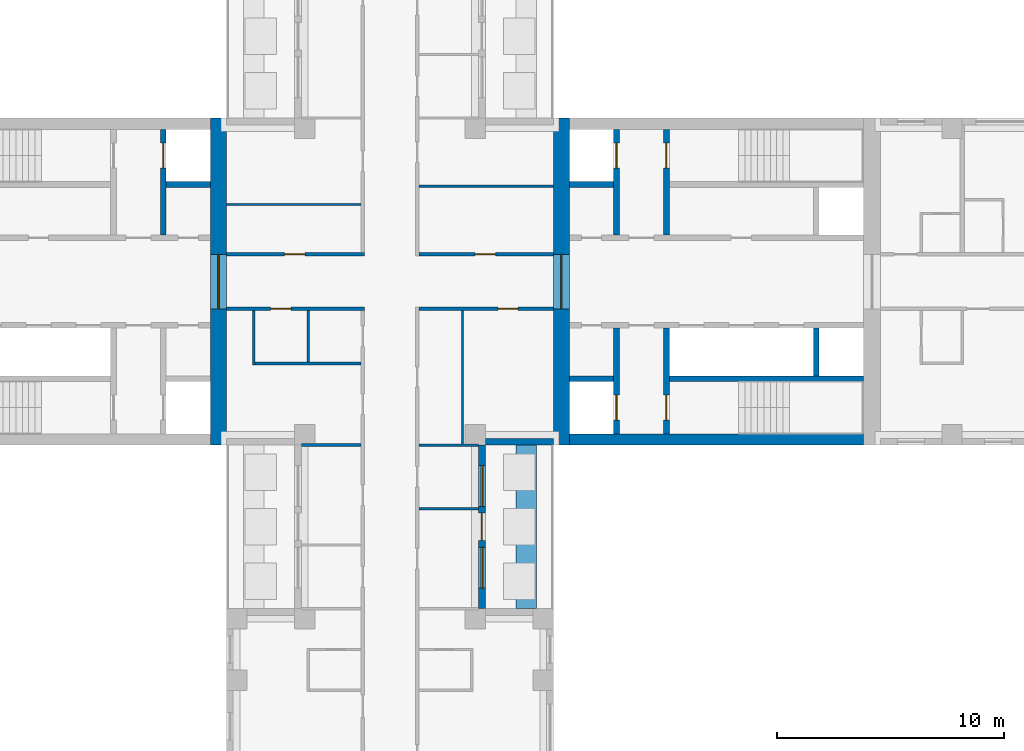
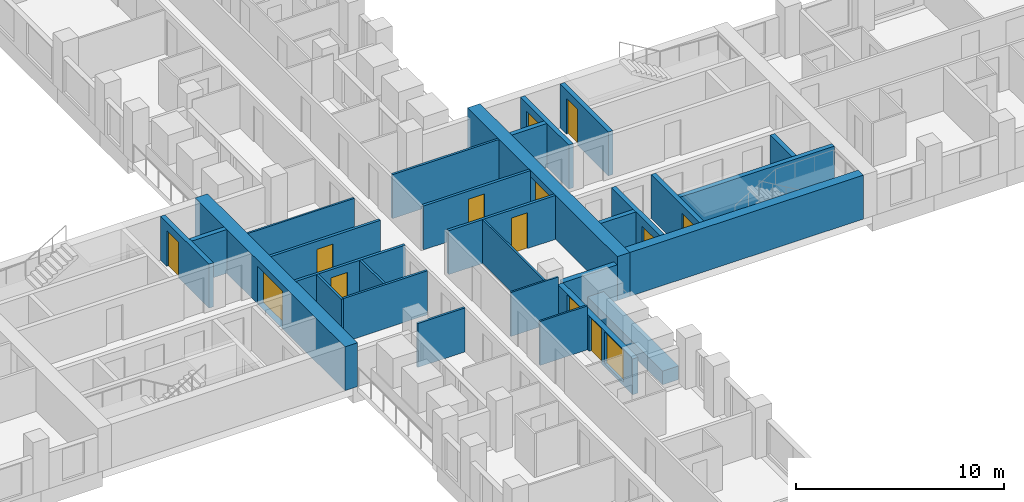
# One storey, part 7 of 15: 29 walls, 12 doors, 2 windows, 14 openings.
"""IFC4 building model written with IfcOpenShell, lengths in metres."""

from ifc_helpers import new_model, si_unit, direction, frame, frame_2d, origin, place, context, subcontext, project, spatial, rectangle, extrude, material, layer, layer_set, type_object, element, fill, save


model = new_model("IFC4")

# Units and contexts
model_context = context("Model", 3, precision=1e-05, world=origin(), true_north=direction((0.0, 1.0)))
body_context = subcontext(model_context, "Body", "Model", "MODEL_VIEW")
ifc_project = project(units=[si_unit("LENGTHUNIT", "METRE"), si_unit("AREAUNIT", "SQUARE_METRE"), si_unit("VOLUMEUNIT", "CUBIC_METRE"), si_unit("PLANEANGLEUNIT", "RADIAN"), si_unit("MASSUNIT", "GRAM", prefix="KILO")], contexts=[model_context])

# Site, building, storey
site_placement = place(None, origin())
site = spatial("IfcSite", under=ifc_project, at=site_placement, CompositionType="ELEMENT")
building_placement = place(site_placement, origin())
building = spatial("IfcBuilding", under=site, at=building_placement, Name="Fustian Cross Tower", CompositionType="ELEMENT")
storey_placement = place(building_placement, frame((0.0, 0.0, 35.699951171875)))
storey = spatial("IfcBuildingStorey", under=building, at=storey_placement, Name="L10", CompositionType="ELEMENT", Elevation=35.699951171875)

# Wall, opening, door
ifc_material_1 = material(Name="Plasterboard on steel stud", Category="steel")
ifc_layer_1 = layer(ifc_material_1, 0.14990234375)
ifc_layer_set_1 = layer_set([ifc_layer_1], Name="Plasterboard on steel stud")
wall_type_1 = type_object("IfcWallType", Name="COMPARTMENT WALL 150 EI 60", PredefinedType="PARTITIONING", material=ifc_layer_set_1)
wall_1_placement = place(storey_placement, frame((-7.199951171875, -1.199951171875, 0.0), z_axis=(0.0, 0.0, 1.0), x_axis=(1.0, 0.0, 0.0)))
wall_1 = element("IfcWall", 1, at=wall_1_placement, inside=storey, type_object=wall_type_1, Name="Partition 11", PredefinedType="PARTITIONING", context=body_context, shape_type="SweptSolid", body=[
    extrude(rectangle(XDim=6.074951171875, YDim=0.14990234375, at=frame_2d((3.03759765625, 0.0))), origin(), (0.0, 0.0, 1.0), 2.574951171875),
])
opening_1_placement = place(wall_1_placement, frame((1.949951171875, 0.0, 0.0)))
opening_1 = element("IfcOpeningElement", 2, at=opening_1_placement, cuts=wall_1, Name="Opening D07008", PredefinedType="OPENING", context=body_context, shape_type="SweptSolid", body=[
    extrude(rectangle(XDim=0.89990234375, YDim=2.10009765625, at=frame_2d((0.449951171875, 1.050048828125))), frame((0.0, 0.0849609375, 0.0), z_axis=(0.0, -1.0, 0.0), x_axis=(1.0, 0.0, 0.0)), (0.0, 0.0, 1.0), 0.169921875),
])
ifc_material_2 = material(Name="Timber fire door set", Category="wood")
door_type_1 = type_object("IfcDoorType", Name="FIRE SWING DOOR 900 FD30S", OperationType="SINGLE_SWING_LEFT", PredefinedType="DOOR", material=ifc_material_2)
door_1_placement = place(opening_1_placement, frame((0.89990234375, 0.0, 0.0), z_axis=(0.0, 0.0, 1.0), x_axis=(-1.0, 0.0, 0.0)))
door_1 = element("IfcDoor", 3, at=door_1_placement, inside=storey, type_object=door_type_1, Name="Door D07008", OperationType="SINGLE_SWING_RIGHT", OverallHeight=2.10009765625, OverallWidth=0.89990234375, PredefinedType="DOOR", context=body_context, shape_type="SweptSolid", body=[
    extrude(rectangle(XDim=0.89990234375, YDim=2.10009765625, at=frame_2d((0.449951171875, 1.050048828125))), frame((0.0, 0.02490234375, 0.0), z_axis=(0.0, -1.0, 0.0), x_axis=(1.0, 0.0, 0.0)), (0.0, 0.0, 1.0), 0.050048828125),
])
fill(opening_1, door_1)

wall_2_placement = place(storey_placement, frame((-7.199951171875, 1.199951171875, 0.0), z_axis=(0.0, 0.0, 1.0), x_axis=(1.0, 0.0, 0.0)))
wall_2 = element("IfcWall", 4, at=wall_2_placement, inside=storey, type_object=wall_type_1, Name="Partition 12", PredefinedType="PARTITIONING", context=body_context, shape_type="SweptSolid", body=[
    extrude(rectangle(XDim=6.074951171875, YDim=0.14990234375, at=frame_2d((3.03759765625, 0.0))), origin(), (0.0, 0.0, 1.0), 2.574951171875),
])
opening_2_placement = place(wall_2_placement, frame((2.550048828125, 0.0, 0.0)))
opening_2 = element("IfcOpeningElement", 5, at=opening_2_placement, cuts=wall_2, Name="Opening D07003", PredefinedType="OPENING", context=body_context, shape_type="SweptSolid", body=[
    extrude(rectangle(XDim=0.89990234375, YDim=2.10009765625, at=frame_2d((0.449951171875, 1.050048828125))), frame((0.0, 0.0849609375, 0.0), z_axis=(0.0, -1.0, 0.0), x_axis=(1.0, 0.0, 0.0)), (0.0, 0.0, 1.0), 0.169921875),
])
door_2_placement = place(opening_2_placement, origin())
door_2 = element("IfcDoor", 6, at=door_2_placement, inside=storey, type_object=door_type_1, Name="Door D07003", OperationType="SINGLE_SWING_LEFT", OverallHeight=2.10009765625, OverallWidth=0.89990234375, PredefinedType="DOOR", context=body_context, shape_type="SweptSolid", body=[
    extrude(rectangle(XDim=0.89990234375, YDim=2.10009765625, at=frame_2d((0.449951171875, 1.050048828125))), frame((0.0, 0.02490234375, 0.0), z_axis=(0.0, -1.0, 0.0), x_axis=(1.0, 0.0, 0.0)), (0.0, 0.0, 1.0), 0.050048828125),
])
fill(opening_2, door_2)

wall_3_placement = place(storey_placement, frame((1.27490234375, -1.199951171875, 0.0), z_axis=(0.0, 0.0, 1.0), x_axis=(1.0, 0.0, 0.0)))
wall_3 = element("IfcWall", 7, at=wall_3_placement, inside=storey, type_object=wall_type_1, Name="Partition 51", PredefinedType="PARTITIONING", context=body_context, shape_type="SweptSolid", body=[
    extrude(rectangle(XDim=5.925048828125, YDim=0.14990234375, at=frame_2d((2.96240234375, 0.0))), origin(), (0.0, 0.0, 1.0), 2.574951171875),
])
opening_3_placement = place(wall_3_placement, frame((3.47509765625, 0.0, 0.0)))
opening_3 = element("IfcOpeningElement", 8, at=opening_3_placement, cuts=wall_3, Name="Opening D07006", PredefinedType="OPENING", context=body_context, shape_type="SweptSolid", body=[
    extrude(rectangle(XDim=0.89990234375, YDim=2.10009765625, at=frame_2d((0.449951171875, 1.050048828125))), frame((0.0, 0.0849609375, 0.0), z_axis=(0.0, -1.0, 0.0), x_axis=(1.0, 0.0, 0.0)), (0.0, 0.0, 1.0), 0.169921875),
])
door_3_placement = place(opening_3_placement, frame((0.89990234375, 0.0, 0.0), z_axis=(0.0, 0.0, 1.0), x_axis=(-1.0, 0.0, 0.0)))
door_3 = element("IfcDoor", 9, at=door_3_placement, inside=storey, type_object=door_type_1, Name="Door D07006", OperationType="SINGLE_SWING_RIGHT", OverallHeight=2.10009765625, OverallWidth=0.89990234375, PredefinedType="DOOR", context=body_context, shape_type="SweptSolid", body=[
    extrude(rectangle(XDim=0.89990234375, YDim=2.10009765625, at=frame_2d((0.449951171875, 1.050048828125))), frame((0.0, 0.02490234375, 0.0), z_axis=(0.0, -1.0, 0.0), x_axis=(1.0, 0.0, 0.0)), (0.0, 0.0, 1.0), 0.050048828125),
])
fill(opening_3, door_3)

wall_4_placement = place(storey_placement, frame((1.27490234375, 1.199951171875, 0.0), z_axis=(0.0, 0.0, 1.0), x_axis=(1.0, 0.0, 0.0)))
wall_4 = element("IfcWall", 10, at=wall_4_placement, inside=storey, type_object=wall_type_1, Name="Partition 53", PredefinedType="PARTITIONING", context=body_context, shape_type="SweptSolid", body=[
    extrude(rectangle(XDim=5.925048828125, YDim=0.14990234375, at=frame_2d((2.96240234375, 0.0))), origin(), (0.0, 0.0, 1.0), 2.574951171875),
])
opening_4_placement = place(wall_4_placement, frame((2.47509765625, 0.0, 0.0)))
opening_4 = element("IfcOpeningElement", 11, at=opening_4_placement, cuts=wall_4, Name="Opening D07001", PredefinedType="OPENING", context=body_context, shape_type="SweptSolid", body=[
    extrude(rectangle(XDim=0.89990234375, YDim=2.10009765625, at=frame_2d((0.449951171875, 1.050048828125))), frame((0.0, 0.0849609375, 0.0), z_axis=(0.0, -1.0, 0.0), x_axis=(1.0, 0.0, 0.0)), (0.0, 0.0, 1.0), 0.169921875),
])
door_4_placement = place(opening_4_placement, origin())
door_4 = element("IfcDoor", 12, at=door_4_placement, inside=storey, type_object=door_type_1, Name="Door D07001", OperationType="SINGLE_SWING_LEFT", OverallHeight=2.10009765625, OverallWidth=0.89990234375, PredefinedType="DOOR", context=body_context, shape_type="SweptSolid", body=[
    extrude(rectangle(XDim=0.89990234375, YDim=2.10009765625, at=frame_2d((0.449951171875, 1.050048828125))), frame((0.0, 0.02490234375, 0.0), z_axis=(0.0, -1.0, 0.0), x_axis=(1.0, 0.0, 0.0)), (0.0, 0.0, 1.0), 0.050048828125),
])
fill(opening_4, door_4)

ifc_material_3 = material(Name="Concrete C80/95", Category="concrete")
ifc_layer_2 = layer(ifc_material_3, 0.699951171875)
ifc_layer_set_2 = layer_set([ifc_layer_2], Name="Concrete C80/95")
wall_type_2 = type_object("IfcWallType", Name="CORE END WALL 700 C80/95", PredefinedType="SHEAR", material=ifc_layer_set_2)
wall_5_placement = place(storey_placement, frame((7.550048828125, -7.199951171875, 0.0), z_axis=(0.0, 0.0, 1.0), x_axis=(0.0, 1.0, 0.0)))
wall_5 = element("IfcWall", 13, at=wall_5_placement, inside=storey, type_object=wall_type_2, Name="Core end wall", PredefinedType="SHEAR", context=body_context, shape_type="SweptSolid", body=[
    extrude(rectangle(XDim=14.39990234375, YDim=0.699951171875, at=frame_2d((7.199951171875, 0.0))), origin(), (0.0, 0.0, 1.0), 2.574951171875),
])
opening_5_placement = place(wall_5_placement, frame((6.0, 0.0, 0.0)))
opening_5 = element("IfcOpeningElement", 14, at=opening_5_placement, cuts=wall_5, Name="Opening CD-04-12", PredefinedType="OPENING", context=body_context, shape_type="SweptSolid", body=[
    extrude(rectangle(XDim=2.39990234375, YDim=2.199951171875, at=frame_2d((1.199951171875, 1.10009765625))), frame((0.0, 0.35986328125, 0.0), z_axis=(0.0, -1.0, 0.0), x_axis=(1.0, 0.0, 0.0)), (0.0, 0.0, 1.0), 0.719970703125),
])
ifc_material_4 = material(Name="Steel", Category="steel")
door_type_2 = type_object("IfcDoorType", Name="FIRE DOOR FD30S DOUBLE 2400X2200", OperationType="DOUBLE_DOOR_DOUBLE_SWING", PredefinedType="DOOR", material=ifc_material_4)
door_5_placement = place(opening_5_placement, frame((2.39990234375, 0.0, 0.0), z_axis=(0.0, 0.0, 1.0), x_axis=(-1.0, 0.0, 0.0)))
door_5 = element("IfcDoor", 15, at=door_5_placement, inside=storey, type_object=door_type_2, Name="Core door CD-04-12", OperationType="DOUBLE_DOOR_DOUBLE_SWING", OverallHeight=2.199951171875, OverallWidth=2.39990234375, PredefinedType="DOOR", context=body_context, shape_type="SweptSolid", body=[
    extrude(rectangle(XDim=2.39990234375, YDim=2.199951171875, at=frame_2d((1.199951171875, 1.10009765625))), frame((0.0, 0.02490234375, 0.0), z_axis=(0.0, -1.0, 0.0), x_axis=(1.0, 0.0, 0.0)), (0.0, 0.0, 1.0), 0.050048828125),
])
fill(opening_5, door_5)

wall_6_placement = place(storey_placement, frame((-7.550048828125, -7.199951171875, 0.0), z_axis=(0.0, 0.0, 1.0), x_axis=(0.0, 1.0, 0.0)))
wall_6 = element("IfcWall", 16, at=wall_6_placement, inside=storey, type_object=wall_type_2, Name="Core end wall", PredefinedType="SHEAR", context=body_context, shape_type="SweptSolid", body=[
    extrude(rectangle(XDim=14.39990234375, YDim=0.699951171875, at=frame_2d((7.199951171875, 0.0))), origin(), (0.0, 0.0, 1.0), 2.574951171875),
])
opening_6_placement = place(wall_6_placement, frame((6.0, 0.0, 0.0)))
opening_6 = element("IfcOpeningElement", 17, at=opening_6_placement, cuts=wall_6, Name="Opening CD-04-26", PredefinedType="OPENING", context=body_context, shape_type="SweptSolid", body=[
    extrude(rectangle(XDim=2.39990234375, YDim=2.199951171875, at=frame_2d((1.199951171875, 1.10009765625))), frame((0.0, 0.35986328125, 0.0), z_axis=(0.0, -1.0, 0.0), x_axis=(1.0, 0.0, 0.0)), (0.0, 0.0, 1.0), 0.719970703125),
])
door_6_placement = place(opening_6_placement, origin())
door_6 = element("IfcDoor", 18, at=door_6_placement, inside=storey, type_object=door_type_2, Name="Core door CD-04-26", OperationType="DOUBLE_DOOR_DOUBLE_SWING", OverallHeight=2.199951171875, OverallWidth=2.39990234375, PredefinedType="DOOR", context=body_context, shape_type="SweptSolid", body=[
    extrude(rectangle(XDim=2.39990234375, YDim=2.199951171875, at=frame_2d((1.199951171875, 1.10009765625))), frame((0.0, 0.02490234375, 0.0), z_axis=(0.0, -1.0, 0.0), x_axis=(1.0, 0.0, 0.0)), (0.0, 0.0, 1.0), 0.050048828125),
])
fill(opening_6, door_6)

# Walls
ifc_material_5 = material(Name="Concrete C80/95", Category="concrete")
ifc_layer_3 = layer(ifc_material_5, 0.5)
ifc_layer_set_3 = layer_set([ifc_layer_3], Name="Concrete C80/95")
wall_type_3 = type_object("IfcWallType", Name="CORE FACADE WALL 500 C80/95", PredefinedType="SHEAR", material=ifc_layer_set_3)
wall_7_placement = place(storey_placement, frame((7.89990234375, -6.949951171875, 0.0), z_axis=(0.0, 0.0, 1.0), x_axis=(1.0, 0.0, 0.0)))
element("IfcWall", 19, at=wall_7_placement, inside=storey, type_object=wall_type_3, Name="Core facade wall", PredefinedType="SHEAR", context=body_context, shape_type="SweptSolid", body=[
    extrude(rectangle(XDim=12.9501953125, YDim=0.5, at=frame_2d((6.47509765625, 0.0))), origin(), (0.0, 0.0, 1.0), 2.574951171875),
])
ifc_material_6 = material(Name="Concrete C50/60", Category="concrete")
ifc_layer_4 = layer(ifc_material_6, 0.25)
ifc_layer_set_4 = layer_set([ifc_layer_4], Name="Concrete C50/60")
wall_type_4 = type_object("IfcWallType", Name="CORE SHAFT WALL 250 C50/60", PredefinedType="SHEAR", material=ifc_layer_set_4)
wall_8_placement = place(storey_placement, frame((7.89990234375, 4.27490234375, 0.0), z_axis=(0.0, 0.0, 1.0), x_axis=(1.0, 0.0, 0.0)))
element("IfcWall", 20, at=wall_8_placement, inside=storey, type_object=wall_type_4, Name="Core shaft wall", PredefinedType="SHEAR", context=body_context, shape_type="SweptSolid", body=[
    extrude(rectangle(XDim=1.9501953125, YDim=0.25, at=frame_2d((0.97509765625, 0.0))), origin(), (0.0, 0.0, 1.0), 2.574951171875),
])

# Wall, opening, door
wall_9_placement = place(storey_placement, frame((9.97509765625, 2.050048828125, 0.0), z_axis=(0.0, 0.0, 1.0), x_axis=(0.0, 1.0, 0.0)))
wall_9 = element("IfcWall", 21, at=wall_9_placement, inside=storey, type_object=wall_type_4, Name="Core shaft wall", PredefinedType="SHEAR", context=body_context, shape_type="SweptSolid", body=[
    extrude(rectangle(XDim=4.64990234375, YDim=0.25, at=frame_2d((2.324951171875, 0.0))), origin(), (0.0, 0.0, 1.0), 2.574951171875),
])
opening_7_placement = place(wall_9_placement, frame((2.949951171875, 0.0, 0.0)))
opening_7 = element("IfcOpeningElement", 22, at=opening_7_placement, cuts=wall_9, Name="Opening LD", PredefinedType="OPENING", context=body_context, shape_type="SweptSolid", body=[
    extrude(rectangle(XDim=1.10009765625, YDim=2.10009765625, at=frame_2d((0.550048828125, 1.050048828125))), frame((0.0, 0.135009765625, 0.0), z_axis=(0.0, -1.0, 0.0), x_axis=(1.0, 0.0, 0.0)), (0.0, 0.0, 1.0), 0.27001953125),
])
ifc_material_7 = material(Name="Stainless steel", Category="steel")
door_type_3 = type_object("IfcDoorType", Name="LIFT LANDING DOOR 1100X2100", OperationType="SLIDING_TO_LEFT", PredefinedType="DOOR", material=ifc_material_7)
door_7_placement = place(opening_7_placement, origin())
door_7 = element("IfcDoor", 23, at=door_7_placement, inside=storey, type_object=door_type_3, Name="Landing door FL1", OperationType="SLIDING_TO_LEFT", OverallHeight=2.10009765625, OverallWidth=1.10009765625, PredefinedType="DOOR", context=body_context, shape_type="SweptSolid", body=[
    extrude(rectangle(XDim=1.10009765625, YDim=2.10009765625, at=frame_2d((0.550048828125, 1.050048828125))), frame((0.0, 0.02490234375, 0.0), z_axis=(0.0, -1.0, 0.0), x_axis=(1.0, 0.0, 0.0)), (0.0, 0.0, 1.0), 0.050048828125),
])
fill(opening_7, door_7)

wall_10_placement = place(storey_placement, frame((12.175048828125, 2.050048828125, 0.0), z_axis=(0.0, 0.0, 1.0), x_axis=(0.0, 1.0, 0.0)))
wall_10 = element("IfcWall", 24, at=wall_10_placement, inside=storey, type_object=wall_type_4, Name="Core shaft wall", PredefinedType="SHEAR", context=body_context, shape_type="SweptSolid", body=[
    extrude(rectangle(XDim=4.64990234375, YDim=0.25, at=frame_2d((2.324951171875, 0.0))), origin(), (0.0, 0.0, 1.0), 2.574951171875),
])
opening_8_placement = place(wall_10_placement, frame((2.949951171875, 0.0, 0.0)))
opening_8 = element("IfcOpeningElement", 25, at=opening_8_placement, cuts=wall_10, Name="Opening CD-04-06", PredefinedType="OPENING", context=body_context, shape_type="SweptSolid", body=[
    extrude(rectangle(XDim=1.10009765625, YDim=2.10009765625, at=frame_2d((0.550048828125, 1.050048828125))), frame((0.0, 0.135009765625, 0.0), z_axis=(0.0, -1.0, 0.0), x_axis=(1.0, 0.0, 0.0)), (0.0, 0.0, 1.0), 0.27001953125),
])
ifc_material_8 = material(Name="Steel", Category="steel")
door_type_4 = type_object("IfcDoorType", Name="FIRE DOOR FD60S 1100X2100", OperationType="SINGLE_SWING_LEFT", PredefinedType="DOOR", material=ifc_material_8)
door_8_placement = place(opening_8_placement, frame((1.10009765625, 0.0, 0.0), z_axis=(0.0, 0.0, 1.0), x_axis=(-1.0, 0.0, 0.0)))
door_8 = element("IfcDoor", 26, at=door_8_placement, inside=storey, type_object=door_type_4, Name="Core door CD-04-06", OperationType="SINGLE_SWING_RIGHT", OverallHeight=2.10009765625, OverallWidth=1.10009765625, PredefinedType="DOOR", context=body_context, shape_type="SweptSolid", body=[
    extrude(rectangle(XDim=1.10009765625, YDim=2.10009765625, at=frame_2d((0.550048828125, 1.050048828125))), frame((0.0, 0.02490234375, 0.0), z_axis=(0.0, -1.0, 0.0), x_axis=(1.0, 0.0, 0.0)), (0.0, 0.0, 1.0), 0.050048828125),
])
fill(opening_8, door_8)

# Walls
wall_11_placement = place(storey_placement, frame((7.89990234375, -4.27490234375, 0.0), z_axis=(0.0, 0.0, 1.0), x_axis=(1.0, 0.0, 0.0)))
element("IfcWall", 27, at=wall_11_placement, inside=storey, type_object=wall_type_4, Name="Core shaft wall", PredefinedType="SHEAR", context=body_context, shape_type="SweptSolid", body=[
    extrude(rectangle(XDim=1.9501953125, YDim=0.25, at=frame_2d((0.97509765625, 0.0))), origin(), (0.0, 0.0, 1.0), 2.574951171875),
])
wall_12_placement = place(storey_placement, frame((12.300048828125, -4.27490234375, 0.0), z_axis=(0.0, 0.0, 1.0), x_axis=(1.0, 0.0, 0.0)))
element("IfcWall", 28, at=wall_12_placement, inside=storey, type_object=wall_type_4, Name="Core shaft wall", PredefinedType="SHEAR", context=body_context, shape_type="SweptSolid", body=[
    extrude(rectangle(XDim=8.550048828125, YDim=0.25, at=frame_2d((4.27490234375, 0.0))), origin(), (0.0, 0.0, 1.0), 2.574951171875),
])

# Wall, opening, door
wall_13_placement = place(storey_placement, frame((9.97509765625, -2.050048828125, 0.0), z_axis=(0.0, 0.0, 1.0), x_axis=(0.0, -1.0, 0.0)))
wall_13 = element("IfcWall", 29, at=wall_13_placement, inside=storey, type_object=wall_type_4, Name="Core shaft wall", PredefinedType="SHEAR", context=body_context, shape_type="SweptSolid", body=[
    extrude(rectangle(XDim=4.64990234375, YDim=0.25, at=frame_2d((2.324951171875, 0.0))), origin(), (0.0, 0.0, 1.0), 2.574951171875),
])
opening_9_placement = place(wall_13_placement, frame((2.949951171875, 0.0, 0.0)))
opening_9 = element("IfcOpeningElement", 30, at=opening_9_placement, cuts=wall_13, Name="Opening LD", PredefinedType="OPENING", context=body_context, shape_type="SweptSolid", body=[
    extrude(rectangle(XDim=1.10009765625, YDim=2.10009765625, at=frame_2d((0.550048828125, 1.050048828125))), frame((0.0, 0.135009765625, 0.0), z_axis=(0.0, -1.0, 0.0), x_axis=(1.0, 0.0, 0.0)), (0.0, 0.0, 1.0), 0.27001953125),
])
door_9_placement = place(opening_9_placement, origin())
door_9 = element("IfcDoor", 31, at=door_9_placement, inside=storey, type_object=door_type_3, Name="Landing door SV1", OperationType="SLIDING_TO_LEFT", OverallHeight=2.10009765625, OverallWidth=1.10009765625, PredefinedType="DOOR", context=body_context, shape_type="SweptSolid", body=[
    extrude(rectangle(XDim=1.10009765625, YDim=2.10009765625, at=frame_2d((0.550048828125, 1.050048828125))), frame((0.0, 0.02490234375, 0.0), z_axis=(0.0, -1.0, 0.0), x_axis=(1.0, 0.0, 0.0)), (0.0, 0.0, 1.0), 0.050048828125),
])
fill(opening_9, door_9)

wall_14_placement = place(storey_placement, frame((12.175048828125, -2.050048828125, 0.0), z_axis=(0.0, 0.0, 1.0), x_axis=(0.0, -1.0, 0.0)))
wall_14 = element("IfcWall", 32, at=wall_14_placement, inside=storey, type_object=wall_type_4, Name="Core shaft wall", PredefinedType="SHEAR", context=body_context, shape_type="SweptSolid", body=[
    extrude(rectangle(XDim=4.64990234375, YDim=0.25, at=frame_2d((2.324951171875, 0.0))), origin(), (0.0, 0.0, 1.0), 2.574951171875),
])
opening_10_placement = place(wall_14_placement, frame((2.949951171875, 0.0, 0.0)))
opening_10 = element("IfcOpeningElement", 33, at=opening_10_placement, cuts=wall_14, Name="Opening CD-04-07", PredefinedType="OPENING", context=body_context, shape_type="SweptSolid", body=[
    extrude(rectangle(XDim=1.10009765625, YDim=2.10009765625, at=frame_2d((0.550048828125, 1.050048828125))), frame((0.0, 0.135009765625, 0.0), z_axis=(0.0, -1.0, 0.0), x_axis=(1.0, 0.0, 0.0)), (0.0, 0.0, 1.0), 0.27001953125),
])
door_10_placement = place(opening_10_placement, origin())
door_10 = element("IfcDoor", 34, at=door_10_placement, inside=storey, type_object=door_type_4, Name="Core door CD-04-07", OperationType="SINGLE_SWING_LEFT", OverallHeight=2.10009765625, OverallWidth=1.10009765625, PredefinedType="DOOR", context=body_context, shape_type="SweptSolid", body=[
    extrude(rectangle(XDim=1.10009765625, YDim=2.10009765625, at=frame_2d((0.550048828125, 1.050048828125))), frame((0.0, 0.02490234375, 0.0), z_axis=(0.0, -1.0, 0.0), x_axis=(1.0, 0.0, 0.0)), (0.0, 0.0, 1.0), 0.050048828125),
])
fill(opening_10, door_10)

# Wall
wall_15_placement = place(storey_placement, frame((-7.89990234375, 4.27490234375, 0.0), z_axis=(0.0, 0.0, 1.0), x_axis=(-1.0, 0.0, 0.0)))
element("IfcWall", 35, at=wall_15_placement, inside=storey, type_object=wall_type_4, Name="Core shaft wall", PredefinedType="SHEAR", context=body_context, shape_type="SweptSolid", body=[
    extrude(rectangle(XDim=1.9501953125, YDim=0.25, at=frame_2d((0.97509765625, 0.0))), origin(), (0.0, 0.0, 1.0), 2.574951171875),
])

# Wall, opening, door
wall_16_placement = place(storey_placement, frame((-9.97509765625, 2.050048828125, 0.0), z_axis=(0.0, 0.0, 1.0), x_axis=(0.0, 1.0, 0.0)))
wall_16 = element("IfcWall", 36, at=wall_16_placement, inside=storey, type_object=wall_type_4, Name="Core shaft wall", PredefinedType="SHEAR", context=body_context, shape_type="SweptSolid", body=[
    extrude(rectangle(XDim=4.64990234375, YDim=0.25, at=frame_2d((2.324951171875, 0.0))), origin(), (0.0, 0.0, 1.0), 2.574951171875),
])
opening_11_placement = place(wall_16_placement, frame((2.949951171875, 0.0, 0.0)))
opening_11 = element("IfcOpeningElement", 37, at=opening_11_placement, cuts=wall_16, Name="Opening LD", PredefinedType="OPENING", context=body_context, shape_type="SweptSolid", body=[
    extrude(rectangle(XDim=1.10009765625, YDim=2.10009765625, at=frame_2d((0.550048828125, 1.050048828125))), frame((0.0, 0.135009765625, 0.0), z_axis=(0.0, -1.0, 0.0), x_axis=(1.0, 0.0, 0.0)), (0.0, 0.0, 1.0), 0.27001953125),
])
door_11_placement = place(opening_11_placement, origin())
door_11 = element("IfcDoor", 38, at=door_11_placement, inside=storey, type_object=door_type_3, Name="Landing door FL1W", OperationType="SLIDING_TO_LEFT", OverallHeight=2.10009765625, OverallWidth=1.10009765625, PredefinedType="DOOR", context=body_context, shape_type="SweptSolid", body=[
    extrude(rectangle(XDim=1.10009765625, YDim=2.10009765625, at=frame_2d((0.550048828125, 1.050048828125))), frame((0.0, 0.02490234375, 0.0), z_axis=(0.0, -1.0, 0.0), x_axis=(1.0, 0.0, 0.0)), (0.0, 0.0, 1.0), 0.050048828125),
])
fill(opening_11, door_11)

# Walls
ifc_material_9 = material(Name="Plasterboard on steel stud", Category="steel")
ifc_layer_5 = layer(ifc_material_9, 0.10009765625)
ifc_layer_set_5 = layer_set([ifc_layer_5], Name="Plasterboard on steel stud")
wall_type_5 = type_object("IfcWallType", Name="PARTITION 100 STUD", PredefinedType="PARTITIONING", material=ifc_layer_set_5)
wall_17_placement = place(storey_placement, frame((-7.199951171875, 3.39990234375, 0.0), z_axis=(0.0, 0.0, 1.0), x_axis=(1.0, 0.0, 0.0)))
element("IfcWall", 39, at=wall_17_placement, inside=storey, type_object=wall_type_5, Name="Partition 13", PredefinedType="PARTITIONING", context=body_context, shape_type="SweptSolid", body=[
    extrude(rectangle(XDim=5.925048828125, YDim=0.10009765625, at=frame_2d((2.96240234375, 0.0))), origin(), (0.0, 0.0, 1.0), 2.574951171875),
])
for number, where, z_axis, x_axis, name in (
    (40, (1.27490234375, -10.0, 0.0), (0.0, 0.0, 1.0), (1.0, 0.0, 0.0), "Partition 49"),
    (41, (1.27490234375, -7.199951171875, 0.0), (0.0, 0.0, 1.0), (1.0, 0.0, 0.0), "Partition 50"),
):
    element("IfcWall", number, at=place(storey_placement, frame(where, z_axis=z_axis, x_axis=x_axis)), inside=storey, type_object=wall_type_5, Name=name, PredefinedType="PARTITIONING", context=body_context, shape_type="SweptSolid", body=[
        extrude(rectangle(XDim=2.625, YDim=0.10009765625, at=frame_2d((1.3125, 0.0))), origin(), (0.0, 0.0, 1.0), 2.574951171875),
    ])
wall_18_placement = place(storey_placement, frame((3.199951171875, -7.14990234375, 0.0), z_axis=(0.0, 0.0, 1.0), x_axis=(0.0, 1.0, 0.0)))
element("IfcWall", 42, at=wall_18_placement, inside=storey, type_object=wall_type_5, Name="Partition 70", PredefinedType="PARTITIONING", context=body_context, shape_type="SweptSolid", body=[
    extrude(rectangle(XDim=5.875, YDim=0.10009765625, at=frame_2d((2.9375, 0.0))), origin(), (0.0, 0.0, 1.0), 2.574951171875),
])
ifc_material_10 = material(Name="Concrete C40/50", Category="concrete")
ifc_layer_6 = layer(ifc_material_10, 0.89990234375)
ifc_layer_set_6 = layer_set([ifc_layer_6], Name="Concrete C40/50")
wall_type_6 = type_object("IfcWallType", Name="PK1 PLANTER 900", PredefinedType="PARAPET", material=ifc_layer_set_6)
wall_19_placement = place(storey_placement, frame((6.0, -14.39990234375, 0.0), z_axis=(0.0, 0.0, 1.0), x_axis=(0.0, 1.0, 0.0)))
element("IfcWall", 43, at=wall_19_placement, inside=storey, type_object=wall_type_6, Name="PLANTER", PredefinedType="PARAPET", context=body_context, shape_type="SweptSolid", body=[
    extrude(rectangle(XDim=7.199951171875, YDim=0.89990234375, at=frame_2d((3.60009765625, 0.0))), origin(), (0.0, 0.0, 1.0), 0.800048828125),
])
ifc_material_11 = material(Name="Concrete C40/50", Category="concrete")
ifc_layer_7 = layer(ifc_material_11, 0.25)
ifc_layer_set_7 = layer_set([ifc_layer_7], Name="Concrete C40/50")
wall_type_7 = type_object("IfcWallType", Name="SHAFT PARTITION WALL 250 C40/50", PredefinedType="PARTITIONING", material=ifc_layer_set_7)
wall_20_placement = place(storey_placement, frame((18.77490234375, -2.050048828125, 0.0), z_axis=(0.0, 0.0, 1.0), x_axis=(0.0, -1.0, 0.0)))
element("IfcWall", 44, at=wall_20_placement, inside=storey, type_object=wall_type_7, Name="Core shaft wall", PredefinedType="PARTITIONING", context=body_context, shape_type="SweptSolid", body=[
    extrude(rectangle(XDim=2.099853515625, YDim=0.25, at=frame_2d((1.0498046875, 0.0))), origin(), (0.0, 0.0, 1.0), 2.574951171875),
])
ifc_material_12 = material(Name="Plasterboard on steel stud", Category="steel")
ifc_layer_8 = layer(ifc_material_12, 0.125)
ifc_layer_set_8 = layer_set([ifc_layer_8], Name="Plasterboard on steel stud")
wall_type_8 = type_object("IfcWallType", Name="WET WALL 125 STUD", PredefinedType="PARTITIONING", material=ifc_layer_set_8)
wall_21_placement = place(storey_placement, frame((-6.0, -3.66259765625, 0.0), z_axis=(0.0, 0.0, 1.0), x_axis=(0.0, 1.0, 0.0)))
element("IfcWall", 45, at=wall_21_placement, inside=storey, type_object=wall_type_8, Name="Partition 22", PredefinedType="PARTITIONING", context=body_context, shape_type="SweptSolid", body=[
    extrude(rectangle(XDim=2.3876953125, YDim=0.125, at=frame_2d((1.19384765625, 0.0))), origin(), (0.0, 0.0, 1.0), 2.574951171875),
])
wall_22_placement = place(storey_placement, frame((-5.9375, -3.60009765625, 0.0), z_axis=(0.0, 0.0, 1.0), x_axis=(1.0, 0.0, 0.0)))
element("IfcWall", 46, at=wall_22_placement, inside=storey, type_object=wall_type_8, Name="Partition 23", PredefinedType="PARTITIONING", context=body_context, shape_type="SweptSolid", body=[
    extrude(rectangle(XDim=4.66259765625, YDim=0.125, at=frame_2d((2.331298828125, 0.0))), origin(), (0.0, 0.0, 1.0), 2.574951171875),
])
wall_23_placement = place(storey_placement, frame((-3.89990234375, -7.199951171875, 0.0), z_axis=(0.0, 0.0, 1.0), x_axis=(1.0, 0.0, 0.0)))
element("IfcWall", 47, at=wall_23_placement, inside=storey, type_object=wall_type_8, Name="Partition 26", PredefinedType="PARTITIONING", context=body_context, shape_type="SweptSolid", body=[
    extrude(rectangle(XDim=2.625, YDim=0.125, at=frame_2d((1.3125, 0.0))), origin(), (0.0, 0.0, 1.0), 2.574951171875),
])
wall_24_placement = place(storey_placement, frame((-3.60009765625, -3.53759765625, 0.0), z_axis=(0.0, 0.0, 1.0), x_axis=(0.0, 1.0, 0.0)))
element("IfcWall", 48, at=wall_24_placement, inside=storey, type_object=wall_type_8, Name="Partition 32", PredefinedType="PARTITIONING", context=body_context, shape_type="SweptSolid", body=[
    extrude(rectangle(XDim=2.2626953125, YDim=0.125, at=frame_2d((1.13134765625, 0.0))), origin(), (0.0, 0.0, 1.0), 2.574951171875),
])
wall_25_placement = place(storey_placement, frame((1.27490234375, 4.199951171875, 0.0), z_axis=(0.0, 0.0, 1.0), x_axis=(1.0, 0.0, 0.0)))
element("IfcWall", 49, at=wall_25_placement, inside=storey, type_object=wall_type_8, Name="Partition 54", PredefinedType="PARTITIONING", context=body_context, shape_type="SweptSolid", body=[
    extrude(rectangle(XDim=5.925048828125, YDim=0.125, at=frame_2d((2.96240234375, 0.0))), origin(), (0.0, 0.0, 1.0), 2.574951171875),
])

# Wall, openings, door, windows
ifc_material_13 = material(Name="Dark aluminium cladding on insulated backing wall", Category="aluminium")
ifc_layer_9 = layer(ifc_material_13, 0.300048828125)
ifc_layer_set_9 = layer_set([ifc_layer_9], Name="Dark aluminium cladding on insulated backing wall")
wall_type_9 = type_object("IfcWallType", Name="XW1 EXTERNAL WALL 300", PredefinedType="SOLIDWALL", material=ifc_layer_set_9)
wall_26_placement = place(storey_placement, frame((4.050048828125, -14.39990234375, 0.0), z_axis=(0.0, 0.0, 1.0), x_axis=(0.0, 1.0, 0.0)))
wall_26 = element("IfcWall", 50, at=wall_26_placement, inside=storey, type_object=wall_type_9, Name="External wall", PredefinedType="SOLIDWALL", context=body_context, shape_type="SweptSolid", body=[
    extrude(rectangle(XDim=7.199951171875, YDim=0.300048828125, at=frame_2d((3.60009765625, 0.0))), origin(), (0.0, 0.0, 1.0), 2.10009765625),
])
opening_12_placement = place(wall_26_placement, frame((3.0, 0.0, 0.0)))
opening_12 = element("IfcOpeningElement", 51, at=opening_12_placement, cuts=wall_26, Name="Opening XD3", PredefinedType="OPENING", context=body_context, shape_type="SweptSolid", body=[
    extrude(rectangle(XDim=1.199951171875, YDim=2.050048828125, at=frame_2d((0.60009765625, 1.02490234375))), frame((0.0, 0.159912109375, 0.0), z_axis=(0.0, -1.0, 0.0), x_axis=(1.0, 0.0, 0.0)), (0.0, 0.0, 1.0), 0.320068359375),
])
opening_13_placement = place(wall_26_placement, frame((0.89990234375, 0.0, 0.199951171875)))
opening_13 = element("IfcOpeningElement", 52, at=opening_13_placement, cuts=wall_26, Name="Opening WN2", PredefinedType="OPENING", context=body_context, shape_type="SweptSolid", body=[
    extrude(rectangle(XDim=1.800048828125, YDim=1.85009765625, at=frame_2d((0.89990234375, 0.925048828125))), frame((0.0, 0.159912109375, 0.0), z_axis=(0.0, -1.0, 0.0), x_axis=(1.0, 0.0, 0.0)), (0.0, 0.0, 1.0), 0.320068359375),
])
opening_14_placement = place(wall_26_placement, frame((4.5, 0.0, 0.199951171875)))
opening_14 = element("IfcOpeningElement", 53, at=opening_14_placement, cuts=wall_26, Name="Opening WN2", PredefinedType="OPENING", context=body_context, shape_type="SweptSolid", body=[
    extrude(rectangle(XDim=1.800048828125, YDim=1.85009765625, at=frame_2d((0.89990234375, 0.925048828125))), frame((0.0, 0.159912109375, 0.0), z_axis=(0.0, -1.0, 0.0), x_axis=(1.0, 0.0, 0.0)), (0.0, 0.0, 1.0), 0.320068359375),
])
ifc_material_14 = material(Name="Dark anodised aluminium and double glazing", Category="aluminium")
door_type_5 = type_object("IfcDoorType", Name="ED1 BALCONY DOOR 1200X2050", OperationType="SINGLE_SWING_LEFT", PredefinedType="DOOR", material=ifc_material_14)
door_12_placement = place(opening_12_placement, origin())
door_12 = element("IfcDoor", 54, at=door_12_placement, inside=storey, type_object=door_type_5, Name="Balcony door", OperationType="SINGLE_SWING_LEFT", OverallHeight=2.050048828125, OverallWidth=1.199951171875, PredefinedType="DOOR", context=body_context, shape_type="SweptSolid", body=[
    extrude(rectangle(XDim=1.199951171875, YDim=2.050048828125, at=frame_2d((0.60009765625, 1.02490234375))), frame((0.0, 0.02490234375, 0.0), z_axis=(0.0, -1.0, 0.0), x_axis=(1.0, 0.0, 0.0)), (0.0, 0.0, 1.0), 0.050048828125),
])
fill(opening_12, door_12)
ifc_material_15 = material(Name="Dark anodised aluminium and double glazing", Category="aluminium")
window_type = type_object("IfcWindowType", Name="WN2 WINDOW 1800X1850", PartitioningType="SINGLE_PANEL", PredefinedType="WINDOW", material=ifc_material_15)
window_1_placement = place(opening_13_placement, origin())
window_1 = element("IfcWindow", 55, at=window_1_placement, inside=storey, type_object=window_type, Name="Window", OverallHeight=1.85009765625, OverallWidth=1.800048828125, PartitioningType="SINGLE_PANEL", PredefinedType="WINDOW", context=body_context, shape_type="SweptSolid", body=[
    extrude(rectangle(XDim=1.800048828125, YDim=1.85009765625, at=frame_2d((0.89990234375, 0.925048828125))), frame((0.0, 0.030029296875, 0.0), z_axis=(0.0, -1.0, 0.0), x_axis=(1.0, 0.0, 0.0)), (0.0, 0.0, 1.0), 0.06005859375),
])
fill(opening_13, window_1)
window_2_placement = place(opening_14_placement, origin())
window_2 = element("IfcWindow", 56, at=window_2_placement, inside=storey, type_object=window_type, Name="Window", OverallHeight=1.85009765625, OverallWidth=1.800048828125, PartitioningType="SINGLE_PANEL", PredefinedType="WINDOW", context=body_context, shape_type="SweptSolid", body=[
    extrude(rectangle(XDim=1.800048828125, YDim=1.85009765625, at=frame_2d((0.89990234375, 0.925048828125))), frame((0.0, 0.030029296875, 0.0), z_axis=(0.0, -1.0, 0.0), x_axis=(1.0, 0.0, 0.0)), (0.0, 0.0, 1.0), 0.06005859375),
])
fill(opening_14, window_2)

# Wall
wall_27_placement = place(storey_placement, frame((4.199951171875, -7.050048828125, 0.0), z_axis=(0.0, 0.0, 1.0), x_axis=(1.0, 0.0, 0.0)))
element("IfcWall", 57, at=wall_27_placement, inside=storey, type_object=wall_type_9, Name="External wall", PredefinedType="SOLIDWALL", context=body_context, shape_type="SweptSolid", body=[
    extrude(rectangle(XDim=3.0, YDim=0.300048828125, at=frame_2d((1.5, 0.0))), origin(), (0.0, 0.0, 1.0), 2.10009765625),
])

save(model, "model.ifc")
